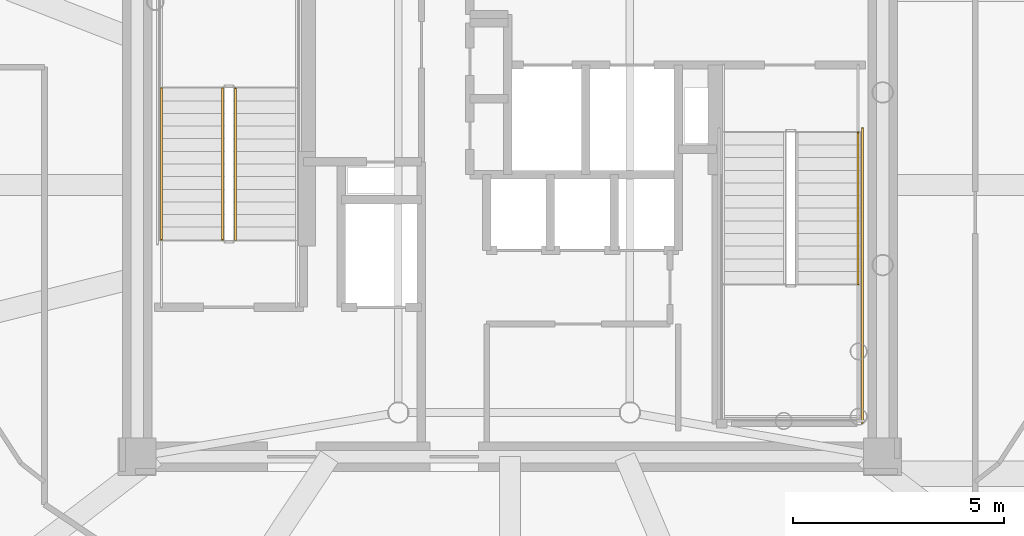
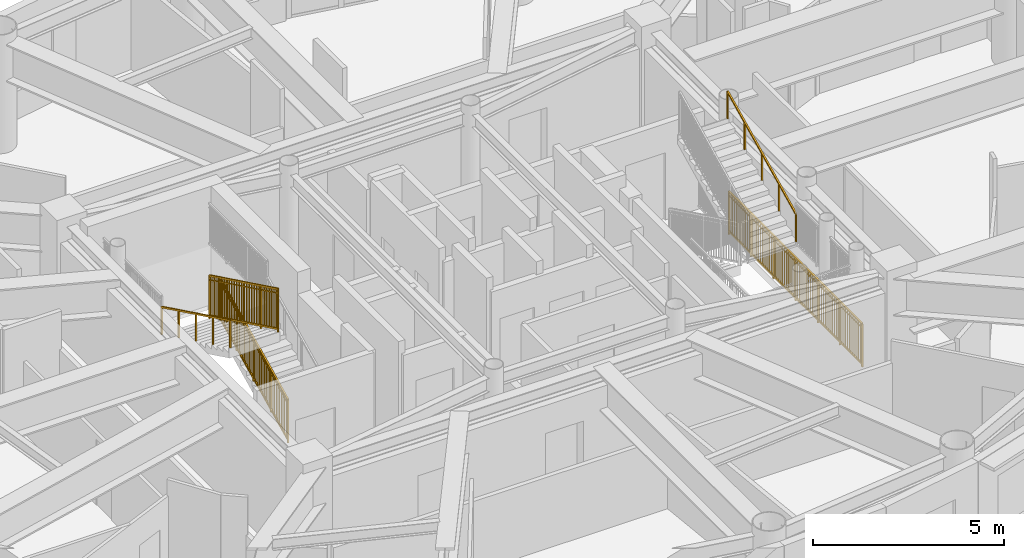
# One storey, part 14 of 16: 5 railings.
"""IFC4 building model written with IfcOpenShell, lengths in metres."""

from ifc_helpers import new_model, si_unit, direction, frame, origin, origin_2d, place, context, subcontext, project, spatial, rectangle, extrude, source, transform, mapped, material, type_object, element, save


model = new_model("IFC4")

# Units and contexts
model_context = context("Model", 3, precision=1e-05, world=origin(), true_north=direction((0.0, 1.0)))
body_context = subcontext(model_context, "Body", "Model", "MODEL_VIEW")
ifc_project = project(units=[si_unit("LENGTHUNIT", "METRE"), si_unit("AREAUNIT", "SQUARE_METRE"), si_unit("VOLUMEUNIT", "CUBIC_METRE"), si_unit("PLANEANGLEUNIT", "RADIAN"), si_unit("MASSUNIT", "GRAM", prefix="KILO")], contexts=[model_context])

# Site, building, storey
site_placement = place(None, origin())
site = spatial("IfcSite", under=ifc_project, at=site_placement, CompositionType="ELEMENT")
building_placement = place(site_placement, origin())
building = spatial("IfcBuilding", under=site, at=building_placement, Name="Linh Dai School and Residence Tower", CompositionType="ELEMENT")
storey_placement = place(building_placement, frame((0.0, 0.0, 343.0)))
storey = spatial("IfcBuildingStorey", under=building, at=storey_placement, Name="L85", CompositionType="ELEMENT", Elevation=343.0)

# Railings
ifc_material_1 = material(Name="Structural Steel S355JR", Category="steel")
railing_type_1 = type_object("IfcRailingType", Name="RL-ST-GUARD-1400", PredefinedType="GUARDRAIL", material=ifc_material_1)
shared_shape_1 = source(origin(), body_context, "Body", "SweptSolid", [
    extrude(rectangle(XDim=0.048095703125, YDim=0.048095703125, at=origin_2d()), frame((0.0, 0.0, 1.3759765625), z_axis=(0.0, 0.899012640991, 0.437922677352), x_axis=(-1.0, 0.0, 0.0)), (0.0, 0.0, 1.0), 4.00439453125),
    extrude(rectangle(XDim=0.048095703125, YDim=0.048095703125, at=origin_2d()), frame((0.0, 0.0, 0.10009765625), z_axis=(0.0, 0.899012640991, 0.437922677352), x_axis=(-1.0, 0.0, 0.0)), (0.0, 0.0, 1.0), 4.00439453125),
    extrude(rectangle(XDim=0.030029296875, YDim=0.030029296875, at=origin_2d()), frame((0.0, 0.0, 1.239990234375), z_axis=(0.0, 0.899012640991, 0.437922677352), x_axis=(-1.0, 0.0, 0.0)), (0.0, 0.0, 1.0), 4.00439453125),
    extrude(rectangle(XDim=0.02001953125, YDim=0.02001953125, at=origin_2d()), frame((0.0, 0.087890625, 0.142822265625)), (0.0, 0.0, 1.0), 1.251708984375),
    extrude(rectangle(XDim=0.02001953125, YDim=0.02001953125, at=origin_2d()), frame((0.0, 0.175537109375, 0.185546875)), (0.0, 0.0, 1.0), 1.251708984375),
    extrude(rectangle(XDim=0.02001953125, YDim=0.02001953125, at=origin_2d()), frame((0.0, 0.263427734375, 0.228515625)), (0.0, 0.0, 1.0), 1.251708984375),
    extrude(rectangle(XDim=0.02001953125, YDim=0.02001953125, at=origin_2d()), frame((0.0, 0.351318359375, 0.271240234375)), (0.0, 0.0, 1.0), 1.251708984375),
    extrude(rectangle(XDim=0.02001953125, YDim=0.02001953125, at=origin_2d()), frame((0.0, 0.43896484375, 0.31396484375)), (0.0, 0.0, 1.0), 1.251708984375),
    extrude(rectangle(XDim=0.02001953125, YDim=0.02001953125, at=origin_2d()), frame((0.0, 0.52685546875, 0.356689453125)), (0.0, 0.0, 1.0), 1.251708984375),
    extrude(rectangle(XDim=0.02001953125, YDim=0.02001953125, at=origin_2d()), frame((0.0, 0.61474609375, 0.3994140625)), (0.0, 0.0, 1.0), 1.251708984375),
    extrude(rectangle(XDim=0.02001953125, YDim=0.02001953125, at=origin_2d()), frame((0.0, 0.702392578125, 0.4423828125)), (0.0, 0.0, 1.0), 1.251708984375),
    extrude(rectangle(XDim=0.02001953125, YDim=0.02001953125, at=origin_2d()), frame((0.0, 0.790283203125, 0.485107421875)), (0.0, 0.0, 1.0), 1.251708984375),
    extrude(rectangle(XDim=0.02001953125, YDim=0.02001953125, at=origin_2d()), frame((0.0, 0.9658203125, 0.570556640625)), (0.0, 0.0, 1.0), 1.251708984375),
    extrude(rectangle(XDim=0.02001953125, YDim=0.02001953125, at=origin_2d()), frame((0.0, 1.0537109375, 0.61328125)), (0.0, 0.0, 1.0), 1.251708984375),
    extrude(rectangle(XDim=0.02001953125, YDim=0.02001953125, at=origin_2d()), frame((0.0, 1.1416015625, 0.65625)), (0.0, 0.0, 1.0), 1.251708984375),
    extrude(rectangle(XDim=0.02001953125, YDim=0.02001953125, at=origin_2d()), frame((0.0, 1.229248046875, 0.698974609375)), (0.0, 0.0, 1.0), 1.251708984375),
    extrude(rectangle(XDim=0.02001953125, YDim=0.02001953125, at=origin_2d()), frame((0.0, 1.317138671875, 0.74169921875)), (0.0, 0.0, 1.0), 1.251708984375),
    extrude(rectangle(XDim=0.02001953125, YDim=0.02001953125, at=origin_2d()), frame((0.0, 1.405029296875, 0.784423828125)), (0.0, 0.0, 1.0), 1.251708984375),
    extrude(rectangle(XDim=0.02001953125, YDim=0.02001953125, at=origin_2d()), frame((0.0, 1.49267578125, 0.8271484375)), (0.0, 0.0, 1.0), 1.251708984375),
    extrude(rectangle(XDim=0.02001953125, YDim=0.02001953125, at=origin_2d()), frame((0.0, 1.58056640625, 0.8701171875)), (0.0, 0.0, 1.0), 1.251708984375),
    extrude(rectangle(XDim=0.02001953125, YDim=0.02001953125, at=origin_2d()), frame((0.0, 1.66845703125, 0.912841796875)), (0.0, 0.0, 1.0), 1.251708984375),
    extrude(rectangle(XDim=0.02001953125, YDim=0.02001953125, at=origin_2d()), frame((0.0, 1.756103515625, 0.95556640625)), (0.0, 0.0, 1.0), 1.251708984375),
    extrude(rectangle(XDim=0.02001953125, YDim=0.02001953125, at=origin_2d()), frame((0.0, 1.843994140625, 0.998291015625)), (0.0, 0.0, 1.0), 1.251708984375),
    extrude(rectangle(XDim=0.02001953125, YDim=0.02001953125, at=origin_2d()), frame((0.0, 1.931640625, 1.041015625)), (0.0, 0.0, 1.0), 1.251708984375),
    extrude(rectangle(XDim=0.02001953125, YDim=0.02001953125, at=origin_2d()), frame((0.0, 2.01953125, 1.083740234375)), (0.0, 0.0, 1.0), 1.251708984375),
    extrude(rectangle(XDim=0.02001953125, YDim=0.02001953125, at=origin_2d()), frame((0.0, 2.107421875, 1.126708984375)), (0.0, 0.0, 1.0), 1.251708984375),
    extrude(rectangle(XDim=0.02001953125, YDim=0.02001953125, at=origin_2d()), frame((0.0, 2.195068359375, 1.16943359375)), (0.0, 0.0, 1.0), 1.251708984375),
    extrude(rectangle(XDim=0.02001953125, YDim=0.02001953125, at=origin_2d()), frame((0.0, 2.282958984375, 1.212158203125)), (0.0, 0.0, 1.0), 1.251708984375),
    extrude(rectangle(XDim=0.02001953125, YDim=0.02001953125, at=origin_2d()), frame((0.0, 2.370849609375, 1.2548828125)), (0.0, 0.0, 1.0), 1.251708984375),
    extrude(rectangle(XDim=0.02001953125, YDim=0.02001953125, at=origin_2d()), frame((0.0, 2.45849609375, 1.297607421875)), (0.0, 0.0, 1.0), 1.251708984375),
    extrude(rectangle(XDim=0.02001953125, YDim=0.02001953125, at=origin_2d()), frame((0.0, 2.54638671875, 1.340576171875)), (0.0, 0.0, 1.0), 1.251708984375),
    extrude(rectangle(XDim=0.02001953125, YDim=0.02001953125, at=origin_2d()), frame((0.0, 2.63427734375, 1.38330078125)), (0.0, 0.0, 1.0), 1.251708984375),
    extrude(rectangle(XDim=0.02001953125, YDim=0.02001953125, at=origin_2d()), frame((0.0, 2.809814453125, 1.46875)), (0.0, 0.0, 1.0), 1.251708984375),
    extrude(rectangle(XDim=0.02001953125, YDim=0.02001953125, at=origin_2d()), frame((0.0, 2.897705078125, 1.511474609375)), (0.0, 0.0, 1.0), 1.251708984375),
    extrude(rectangle(XDim=0.02001953125, YDim=0.02001953125, at=origin_2d()), frame((0.0, 2.9853515625, 1.554443359375)), (0.0, 0.0, 1.0), 1.251708984375),
    extrude(rectangle(XDim=0.02001953125, YDim=0.02001953125, at=origin_2d()), frame((0.0, 3.0732421875, 1.59716796875)), (0.0, 0.0, 1.0), 1.251708984375),
    extrude(rectangle(XDim=0.02001953125, YDim=0.02001953125, at=origin_2d()), frame((0.0, 3.1611328125, 1.639892578125)), (0.0, 0.0, 1.0), 1.251708984375),
    extrude(rectangle(XDim=0.02001953125, YDim=0.02001953125, at=origin_2d()), frame((0.0, 3.248779296875, 1.6826171875)), (0.0, 0.0, 1.0), 1.251708984375),
    extrude(rectangle(XDim=0.02001953125, YDim=0.02001953125, at=origin_2d()), frame((0.0, 3.336669921875, 1.725341796875)), (0.0, 0.0, 1.0), 1.251708984375),
    extrude(rectangle(XDim=0.02001953125, YDim=0.02001953125, at=origin_2d()), frame((0.0, 3.424560546875, 1.768310546875)), (0.0, 0.0, 1.0), 1.251708984375),
    extrude(rectangle(XDim=0.02001953125, YDim=0.02001953125, at=origin_2d()), frame((0.0, 3.51220703125, 1.81103515625)), (0.0, 0.0, 1.0), 1.251708984375),
    extrude(rectangle(XDim=0.0419921875, YDim=0.0419921875, at=origin_2d()), origin(), (0.0, 0.0, 1.0), 1.3759765625),
    extrude(rectangle(XDim=0.0419921875, YDim=0.0419921875, at=origin_2d()), frame((0.0, 0.89990234375, 0.4384765625)), (0.0, 0.0, 1.0), 1.3759765625),
    extrude(rectangle(XDim=0.0419921875, YDim=0.0419921875, at=origin_2d()), frame((0.0, 1.800048828125, 0.876953125)), (0.0, 0.0, 1.0), 1.3759765625),
    extrude(rectangle(XDim=0.0419921875, YDim=0.0419921875, at=origin_2d()), frame((0.0, 2.7001953125, 1.315185546875)), (0.0, 0.0, 1.0), 1.3759765625),
    extrude(rectangle(XDim=0.0419921875, YDim=0.0419921875, at=origin_2d()), frame((0.0, 3.60009765625, 1.753662109375)), (0.0, 0.0, 1.0), 1.3759765625),
])
railing_1_placement = place(storey_placement, frame((29.47998046875, 25.699951171875, 0.146240234375)))
element("IfcRailing", 1, at=railing_1_placement, inside=storey, type_object=railing_type_1, Name="L85 ST1 stair guard 1", PredefinedType="GUARDRAIL", context=body_context, shape_type="MappedRepresentation", body=[
    mapped(shared_shape_1, transform((0.0, 0.0, 0.0), x_axis=(1.0, 0.0, 0.0), y_axis=(0.0, 1.0, 0.0), z_axis=(0.0, 0.0, 1.0), scale=1.0)),
])
shared_shape_2 = source(origin(), body_context, "Body", "SweptSolid", [
    extrude(rectangle(XDim=0.048095703125, YDim=0.048095703125, at=origin_2d()), frame((0.0, 0.0, 1.3759765625), z_axis=(0.0, -0.898988637874, 0.437971949985), x_axis=(1.0, 0.0, 0.0)), (0.0, 0.0, 1.0), 4.004638671875),
    extrude(rectangle(XDim=0.048095703125, YDim=0.048095703125, at=origin_2d()), frame((0.0, 0.0, 0.10009765625), z_axis=(0.0, -0.898988637874, 0.437971949985), x_axis=(1.0, 0.0, 0.0)), (0.0, 0.0, 1.0), 4.004638671875),
    extrude(rectangle(XDim=0.030029296875, YDim=0.030029296875, at=origin_2d()), frame((0.0, 0.0, 1.239990234375), z_axis=(0.0, -0.898988637874, 0.437971949985), x_axis=(1.0, 0.0, 0.0)), (0.0, 0.0, 1.0), 4.004638671875),
    extrude(rectangle(XDim=0.02001953125, YDim=0.02001953125, at=origin_2d()), frame((0.0, -0.087890625, 0.142822265625)), (0.0, 0.0, 1.0), 1.251708984375),
    extrude(rectangle(XDim=0.02001953125, YDim=0.02001953125, at=origin_2d()), frame((0.0, -0.175537109375, 0.185546875)), (0.0, 0.0, 1.0), 1.251708984375),
    extrude(rectangle(XDim=0.02001953125, YDim=0.02001953125, at=origin_2d()), frame((0.0, -0.263427734375, 0.228515625)), (0.0, 0.0, 1.0), 1.251708984375),
    extrude(rectangle(XDim=0.02001953125, YDim=0.02001953125, at=origin_2d()), frame((0.0, -0.351318359375, 0.271240234375)), (0.0, 0.0, 1.0), 1.251708984375),
    extrude(rectangle(XDim=0.02001953125, YDim=0.02001953125, at=origin_2d()), frame((0.0, -0.43896484375, 0.31396484375)), (0.0, 0.0, 1.0), 1.251708984375),
    extrude(rectangle(XDim=0.02001953125, YDim=0.02001953125, at=origin_2d()), frame((0.0, -0.52685546875, 0.356689453125)), (0.0, 0.0, 1.0), 1.251708984375),
    extrude(rectangle(XDim=0.02001953125, YDim=0.02001953125, at=origin_2d()), frame((0.0, -0.61474609375, 0.399658203125)), (0.0, 0.0, 1.0), 1.251708984375),
    extrude(rectangle(XDim=0.02001953125, YDim=0.02001953125, at=origin_2d()), frame((0.0, -0.702392578125, 0.4423828125)), (0.0, 0.0, 1.0), 1.251708984375),
    extrude(rectangle(XDim=0.02001953125, YDim=0.02001953125, at=origin_2d()), frame((0.0, -0.790283203125, 0.485107421875)), (0.0, 0.0, 1.0), 1.251708984375),
    extrude(rectangle(XDim=0.02001953125, YDim=0.02001953125, at=origin_2d()), frame((0.0, -0.9658203125, 0.570556640625)), (0.0, 0.0, 1.0), 1.251708984375),
    extrude(rectangle(XDim=0.02001953125, YDim=0.02001953125, at=origin_2d()), frame((0.0, -1.0537109375, 0.613525390625)), (0.0, 0.0, 1.0), 1.251708984375),
    extrude(rectangle(XDim=0.02001953125, YDim=0.02001953125, at=origin_2d()), frame((0.0, -1.1416015625, 0.65625)), (0.0, 0.0, 1.0), 1.251708984375),
    extrude(rectangle(XDim=0.02001953125, YDim=0.02001953125, at=origin_2d()), frame((0.0, -1.229248046875, 0.698974609375)), (0.0, 0.0, 1.0), 1.251708984375),
    extrude(rectangle(XDim=0.02001953125, YDim=0.02001953125, at=origin_2d()), frame((0.0, -1.317138671875, 0.74169921875)), (0.0, 0.0, 1.0), 1.251708984375),
    extrude(rectangle(XDim=0.02001953125, YDim=0.02001953125, at=origin_2d()), frame((0.0, -1.405029296875, 0.78466796875)), (0.0, 0.0, 1.0), 1.251708984375),
    extrude(rectangle(XDim=0.02001953125, YDim=0.02001953125, at=origin_2d()), frame((0.0, -1.49267578125, 0.827392578125)), (0.0, 0.0, 1.0), 1.251708984375),
    extrude(rectangle(XDim=0.02001953125, YDim=0.02001953125, at=origin_2d()), frame((0.0, -1.58056640625, 0.8701171875)), (0.0, 0.0, 1.0), 1.251708984375),
    extrude(rectangle(XDim=0.02001953125, YDim=0.02001953125, at=origin_2d()), frame((0.0, -1.66845703125, 0.912841796875)), (0.0, 0.0, 1.0), 1.251708984375),
    extrude(rectangle(XDim=0.02001953125, YDim=0.02001953125, at=origin_2d()), frame((0.0, -1.756103515625, 0.95556640625)), (0.0, 0.0, 1.0), 1.251708984375),
    extrude(rectangle(XDim=0.02001953125, YDim=0.02001953125, at=origin_2d()), frame((0.0, -1.843994140625, 0.99853515625)), (0.0, 0.0, 1.0), 1.251708984375),
    extrude(rectangle(XDim=0.02001953125, YDim=0.02001953125, at=origin_2d()), frame((0.0, -1.931640625, 1.041259765625)), (0.0, 0.0, 1.0), 1.251708984375),
    extrude(rectangle(XDim=0.02001953125, YDim=0.02001953125, at=origin_2d()), frame((0.0, -2.01953125, 1.083984375)), (0.0, 0.0, 1.0), 1.251708984375),
    extrude(rectangle(XDim=0.02001953125, YDim=0.02001953125, at=origin_2d()), frame((0.0, -2.107421875, 1.126708984375)), (0.0, 0.0, 1.0), 1.251708984375),
    extrude(rectangle(XDim=0.02001953125, YDim=0.02001953125, at=origin_2d()), frame((0.0, -2.195068359375, 1.16943359375)), (0.0, 0.0, 1.0), 1.251708984375),
    extrude(rectangle(XDim=0.02001953125, YDim=0.02001953125, at=origin_2d()), frame((0.0, -2.282958984375, 1.21240234375)), (0.0, 0.0, 1.0), 1.251708984375),
    extrude(rectangle(XDim=0.02001953125, YDim=0.02001953125, at=origin_2d()), frame((0.0, -2.370849609375, 1.255126953125)), (0.0, 0.0, 1.0), 1.251708984375),
    extrude(rectangle(XDim=0.02001953125, YDim=0.02001953125, at=origin_2d()), frame((0.0, -2.45849609375, 1.2978515625)), (0.0, 0.0, 1.0), 1.251708984375),
    extrude(rectangle(XDim=0.02001953125, YDim=0.02001953125, at=origin_2d()), frame((0.0, -2.54638671875, 1.340576171875)), (0.0, 0.0, 1.0), 1.251708984375),
    extrude(rectangle(XDim=0.02001953125, YDim=0.02001953125, at=origin_2d()), frame((0.0, -2.63427734375, 1.383544921875)), (0.0, 0.0, 1.0), 1.251708984375),
    extrude(rectangle(XDim=0.02001953125, YDim=0.02001953125, at=origin_2d()), frame((0.0, -2.809814453125, 1.468994140625)), (0.0, 0.0, 1.0), 1.251708984375),
    extrude(rectangle(XDim=0.02001953125, YDim=0.02001953125, at=origin_2d()), frame((0.0, -2.897705078125, 1.51171875)), (0.0, 0.0, 1.0), 1.251708984375),
    extrude(rectangle(XDim=0.02001953125, YDim=0.02001953125, at=origin_2d()), frame((0.0, -2.9853515625, 1.554443359375)), (0.0, 0.0, 1.0), 1.251708984375),
    extrude(rectangle(XDim=0.02001953125, YDim=0.02001953125, at=origin_2d()), frame((0.0, -3.0732421875, 1.597412109375)), (0.0, 0.0, 1.0), 1.251708984375),
    extrude(rectangle(XDim=0.02001953125, YDim=0.02001953125, at=origin_2d()), frame((0.0, -3.1611328125, 1.64013671875)), (0.0, 0.0, 1.0), 1.251708984375),
    extrude(rectangle(XDim=0.02001953125, YDim=0.02001953125, at=origin_2d()), frame((0.0, -3.248779296875, 1.682861328125)), (0.0, 0.0, 1.0), 1.251708984375),
    extrude(rectangle(XDim=0.02001953125, YDim=0.02001953125, at=origin_2d()), frame((0.0, -3.336669921875, 1.7255859375)), (0.0, 0.0, 1.0), 1.251708984375),
    extrude(rectangle(XDim=0.02001953125, YDim=0.02001953125, at=origin_2d()), frame((0.0, -3.424560546875, 1.7685546875)), (0.0, 0.0, 1.0), 1.251708984375),
    extrude(rectangle(XDim=0.02001953125, YDim=0.02001953125, at=origin_2d()), frame((0.0, -3.51220703125, 1.811279296875)), (0.0, 0.0, 1.0), 1.251708984375),
    extrude(rectangle(XDim=0.0419921875, YDim=0.0419921875, at=origin_2d()), origin(), (0.0, 0.0, 1.0), 1.3759765625),
    extrude(rectangle(XDim=0.0419921875, YDim=0.0419921875, at=origin_2d()), frame((0.0, -0.89990234375, 0.4384765625)), (0.0, 0.0, 1.0), 1.3759765625),
    extrude(rectangle(XDim=0.0419921875, YDim=0.0419921875, at=origin_2d()), frame((0.0, -1.800048828125, 0.876953125)), (0.0, 0.0, 1.0), 1.3759765625),
    extrude(rectangle(XDim=0.0419921875, YDim=0.0419921875, at=origin_2d()), frame((0.0, -2.7001953125, 1.3154296875)), (0.0, 0.0, 1.0), 1.3759765625),
    extrude(rectangle(XDim=0.0419921875, YDim=0.0419921875, at=origin_2d()), frame((0.0, -3.60009765625, 1.75390625)), (0.0, 0.0, 1.0), 1.3759765625),
])
railing_2_placement = place(storey_placement, frame((29.179931640625, 29.300048828125, 2.046142578125)))
element("IfcRailing", 2, at=railing_2_placement, inside=storey, type_object=railing_type_1, Name="L85 ST1 stair guard 6", PredefinedType="GUARDRAIL", context=body_context, shape_type="MappedRepresentation", body=[
    mapped(shared_shape_2, transform((0.0, 0.0, 0.0), x_axis=(1.0, 0.0, 0.0), y_axis=(0.0, 1.0, 0.0), z_axis=(0.0, 0.0, 1.0), scale=1.0)),
])
ifc_material_2 = material(Name="Brushed Stainless Steel Handrail", Category="steel")
railing_type_2 = type_object("IfcRailingType", Name="RL-ST-HANDRAIL-900", PredefinedType="HANDRAIL", material=ifc_material_2)
shared_shape_3 = source(origin(), body_context, "Body", "SweptSolid", [
    extrude(rectangle(XDim=0.048095703125, YDim=0.048095703125, at=origin_2d()), frame((0.0, 0.0, 0.8759765625), z_axis=(0.0, -0.898988637874, 0.437971949985), x_axis=(1.0, 0.0, 0.0)), (0.0, 0.0, 1.0), 4.004638671875),
    extrude(rectangle(XDim=0.0419921875, YDim=0.0419921875, at=origin_2d()), origin(), (0.0, 0.0, 1.0), 0.8759765625),
    extrude(rectangle(XDim=0.0419921875, YDim=0.0419921875, at=origin_2d()), frame((0.0, -0.89990234375, 0.4384765625)), (0.0, 0.0, 1.0), 0.8759765625),
    extrude(rectangle(XDim=0.0419921875, YDim=0.0419921875, at=origin_2d()), frame((0.0, -1.800048828125, 0.876953125)), (0.0, 0.0, 1.0), 0.8759765625),
    extrude(rectangle(XDim=0.0419921875, YDim=0.0419921875, at=origin_2d()), frame((0.0, -2.7001953125, 1.3154296875)), (0.0, 0.0, 1.0), 0.8759765625),
    extrude(rectangle(XDim=0.0419921875, YDim=0.0419921875, at=origin_2d()), frame((0.0, -3.60009765625, 1.75390625)), (0.0, 0.0, 1.0), 0.8759765625),
])
railing_3_placement = place(storey_placement, frame((27.72998046875, 29.300048828125, 2.046142578125)))
element("IfcRailing", 3, at=railing_3_placement, inside=storey, type_object=railing_type_2, Name="L85 ST1 stair handrail 2", PredefinedType="HANDRAIL", context=body_context, shape_type="MappedRepresentation", body=[
    mapped(shared_shape_3, transform((0.0, 0.0, 0.0), x_axis=(1.0, 0.0, 0.0), y_axis=(0.0, 1.0, 0.0), z_axis=(0.0, 0.0, 1.0), scale=1.0)),
])
shared_shape_4 = source(origin(), body_context, "Body", "SweptSolid", [
    extrude(rectangle(XDim=0.048095703125, YDim=0.048095703125, at=origin_2d()), frame((0.0, 0.0, 0.8759765625), z_axis=(0.0, 0.898988637874, 0.437971949985), x_axis=(-1.0, 0.0, 0.0)), (0.0, 0.0, 1.0), 4.004638671875),
    extrude(rectangle(XDim=0.0419921875, YDim=0.0419921875, at=origin_2d()), origin(), (0.0, 0.0, 1.0), 0.8759765625),
    extrude(rectangle(XDim=0.0419921875, YDim=0.0419921875, at=origin_2d()), frame((0.0, 0.89990234375, 0.4384765625)), (0.0, 0.0, 1.0), 0.8759765625),
    extrude(rectangle(XDim=0.0419921875, YDim=0.0419921875, at=origin_2d()), frame((0.0, 1.800048828125, 0.876953125)), (0.0, 0.0, 1.0), 0.8759765625),
    extrude(rectangle(XDim=0.0419921875, YDim=0.0419921875, at=origin_2d()), frame((0.0, 2.7001953125, 1.3154296875)), (0.0, 0.0, 1.0), 0.8759765625),
    extrude(rectangle(XDim=0.0419921875, YDim=0.0419921875, at=origin_2d()), frame((0.0, 3.60009765625, 1.75390625)), (0.0, 0.0, 1.0), 0.8759765625),
])
railing_4_placement = place(storey_placement, frame((44.27001953125, 24.64990234375, 2.046142578125)))
element("IfcRailing", 4, at=railing_4_placement, inside=storey, type_object=railing_type_2, Name="L85 ST2 stair handrail 2", PredefinedType="HANDRAIL", context=body_context, shape_type="MappedRepresentation", body=[
    mapped(shared_shape_4, transform((0.0, 0.0, 0.0), x_axis=(1.0, 0.0, 0.0), y_axis=(0.0, 1.0, 0.0), z_axis=(0.0, 0.0, 1.0), scale=1.0)),
])
shared_shape_5 = source(origin(), body_context, "Body", "SweptSolid", [
    extrude(rectangle(XDim=0.048095703125, YDim=0.048095703125, at=origin_2d()), frame((0.0, 0.0, 1.3759765625), z_axis=(0.0, -1.0, 0.0), x_axis=(1.0, 0.0, 0.0)), (0.0, 0.0, 1.0), 7.0),
    extrude(rectangle(XDim=0.048095703125, YDim=0.048095703125, at=origin_2d()), frame((0.0, 0.0, 0.10009765625), z_axis=(0.0, -1.0, 0.0), x_axis=(1.0, 0.0, 0.0)), (0.0, 0.0, 1.0), 7.0),
    extrude(rectangle(XDim=0.030029296875, YDim=0.030029296875, at=origin_2d()), frame((0.0, 0.0, 1.239990234375), z_axis=(0.0, -1.0, 0.0), x_axis=(1.0, 0.0, 0.0)), (0.0, 0.0, 1.0), 7.0),
    extrude(rectangle(XDim=0.02001953125, YDim=0.02001953125, at=origin_2d()), frame((0.0, -0.09716796875, 0.10009765625)), (0.0, 0.0, 1.0), 1.251708984375),
    extrude(rectangle(XDim=0.02001953125, YDim=0.02001953125, at=origin_2d()), frame((0.0, -0.1943359375, 0.10009765625)), (0.0, 0.0, 1.0), 1.251708984375),
    extrude(rectangle(XDim=0.02001953125, YDim=0.02001953125, at=origin_2d()), frame((0.0, -0.291748046875, 0.10009765625)), (0.0, 0.0, 1.0), 1.251708984375),
    extrude(rectangle(XDim=0.02001953125, YDim=0.02001953125, at=origin_2d()), frame((0.0, -0.388916015625, 0.10009765625)), (0.0, 0.0, 1.0), 1.251708984375),
    extrude(rectangle(XDim=0.02001953125, YDim=0.02001953125, at=origin_2d()), frame((0.0, -0.486083984375, 0.10009765625)), (0.0, 0.0, 1.0), 1.251708984375),
    extrude(rectangle(XDim=0.02001953125, YDim=0.02001953125, at=origin_2d()), frame((0.0, -0.583251953125, 0.10009765625)), (0.0, 0.0, 1.0), 1.251708984375),
    extrude(rectangle(XDim=0.02001953125, YDim=0.02001953125, at=origin_2d()), frame((0.0, -0.6806640625, 0.10009765625)), (0.0, 0.0, 1.0), 1.251708984375),
    extrude(rectangle(XDim=0.02001953125, YDim=0.02001953125, at=origin_2d()), frame((0.0, -0.77783203125, 0.10009765625)), (0.0, 0.0, 1.0), 1.251708984375),
    extrude(rectangle(XDim=0.02001953125, YDim=0.02001953125, at=origin_2d()), frame((0.0, -0.875, 0.10009765625)), (0.0, 0.0, 1.0), 1.251708984375),
    extrude(rectangle(XDim=0.02001953125, YDim=0.02001953125, at=origin_2d()), frame((0.0, -0.97216796875, 0.10009765625)), (0.0, 0.0, 1.0), 1.251708984375),
    extrude(rectangle(XDim=0.02001953125, YDim=0.02001953125, at=origin_2d()), frame((0.0, -1.0693359375, 0.10009765625)), (0.0, 0.0, 1.0), 1.251708984375),
    extrude(rectangle(XDim=0.02001953125, YDim=0.02001953125, at=origin_2d()), frame((0.0, -1.263916015625, 0.10009765625)), (0.0, 0.0, 1.0), 1.251708984375),
    extrude(rectangle(XDim=0.02001953125, YDim=0.02001953125, at=origin_2d()), frame((0.0, -1.361083984375, 0.10009765625)), (0.0, 0.0, 1.0), 1.251708984375),
    extrude(rectangle(XDim=0.02001953125, YDim=0.02001953125, at=origin_2d()), frame((0.0, -1.458251953125, 0.10009765625)), (0.0, 0.0, 1.0), 1.251708984375),
    extrude(rectangle(XDim=0.02001953125, YDim=0.02001953125, at=origin_2d()), frame((0.0, -1.5556640625, 0.10009765625)), (0.0, 0.0, 1.0), 1.251708984375),
    extrude(rectangle(XDim=0.02001953125, YDim=0.02001953125, at=origin_2d()), frame((0.0, -1.65283203125, 0.10009765625)), (0.0, 0.0, 1.0), 1.251708984375),
    extrude(rectangle(XDim=0.02001953125, YDim=0.02001953125, at=origin_2d()), frame((0.0, -1.75, 0.10009765625)), (0.0, 0.0, 1.0), 1.251708984375),
    extrude(rectangle(XDim=0.02001953125, YDim=0.02001953125, at=origin_2d()), frame((0.0, -1.84716796875, 0.10009765625)), (0.0, 0.0, 1.0), 1.251708984375),
    extrude(rectangle(XDim=0.02001953125, YDim=0.02001953125, at=origin_2d()), frame((0.0, -1.9443359375, 0.10009765625)), (0.0, 0.0, 1.0), 1.251708984375),
    extrude(rectangle(XDim=0.02001953125, YDim=0.02001953125, at=origin_2d()), frame((0.0, -2.041748046875, 0.10009765625)), (0.0, 0.0, 1.0), 1.251708984375),
    extrude(rectangle(XDim=0.02001953125, YDim=0.02001953125, at=origin_2d()), frame((0.0, -2.138916015625, 0.10009765625)), (0.0, 0.0, 1.0), 1.251708984375),
    extrude(rectangle(XDim=0.02001953125, YDim=0.02001953125, at=origin_2d()), frame((0.0, -2.236083984375, 0.10009765625)), (0.0, 0.0, 1.0), 1.251708984375),
    extrude(rectangle(XDim=0.02001953125, YDim=0.02001953125, at=origin_2d()), frame((0.0, -2.4306640625, 0.10009765625)), (0.0, 0.0, 1.0), 1.251708984375),
    extrude(rectangle(XDim=0.02001953125, YDim=0.02001953125, at=origin_2d()), frame((0.0, -2.52783203125, 0.10009765625)), (0.0, 0.0, 1.0), 1.251708984375),
    extrude(rectangle(XDim=0.02001953125, YDim=0.02001953125, at=origin_2d()), frame((0.0, -2.625, 0.10009765625)), (0.0, 0.0, 1.0), 1.251708984375),
    extrude(rectangle(XDim=0.02001953125, YDim=0.02001953125, at=origin_2d()), frame((0.0, -2.72216796875, 0.10009765625)), (0.0, 0.0, 1.0), 1.251708984375),
    extrude(rectangle(XDim=0.02001953125, YDim=0.02001953125, at=origin_2d()), frame((0.0, -2.8193359375, 0.10009765625)), (0.0, 0.0, 1.0), 1.251708984375),
    extrude(rectangle(XDim=0.02001953125, YDim=0.02001953125, at=origin_2d()), frame((0.0, -2.916748046875, 0.10009765625)), (0.0, 0.0, 1.0), 1.251708984375),
    extrude(rectangle(XDim=0.02001953125, YDim=0.02001953125, at=origin_2d()), frame((0.0, -3.013916015625, 0.10009765625)), (0.0, 0.0, 1.0), 1.251708984375),
    extrude(rectangle(XDim=0.02001953125, YDim=0.02001953125, at=origin_2d()), frame((0.0, -3.111083984375, 0.10009765625)), (0.0, 0.0, 1.0), 1.251708984375),
    extrude(rectangle(XDim=0.02001953125, YDim=0.02001953125, at=origin_2d()), frame((0.0, -3.208251953125, 0.10009765625)), (0.0, 0.0, 1.0), 1.251708984375),
    extrude(rectangle(XDim=0.02001953125, YDim=0.02001953125, at=origin_2d()), frame((0.0, -3.3056640625, 0.10009765625)), (0.0, 0.0, 1.0), 1.251708984375),
    extrude(rectangle(XDim=0.02001953125, YDim=0.02001953125, at=origin_2d()), frame((0.0, -3.40283203125, 0.10009765625)), (0.0, 0.0, 1.0), 1.251708984375),
    extrude(rectangle(XDim=0.02001953125, YDim=0.02001953125, at=origin_2d()), frame((0.0, -3.59716796875, 0.10009765625)), (0.0, 0.0, 1.0), 1.251708984375),
    extrude(rectangle(XDim=0.02001953125, YDim=0.02001953125, at=origin_2d()), frame((0.0, -3.6943359375, 0.10009765625)), (0.0, 0.0, 1.0), 1.251708984375),
    extrude(rectangle(XDim=0.02001953125, YDim=0.02001953125, at=origin_2d()), frame((0.0, -3.791748046875, 0.10009765625)), (0.0, 0.0, 1.0), 1.251708984375),
    extrude(rectangle(XDim=0.02001953125, YDim=0.02001953125, at=origin_2d()), frame((0.0, -3.888916015625, 0.10009765625)), (0.0, 0.0, 1.0), 1.251708984375),
    extrude(rectangle(XDim=0.02001953125, YDim=0.02001953125, at=origin_2d()), frame((0.0, -3.986083984375, 0.10009765625)), (0.0, 0.0, 1.0), 1.251708984375),
    extrude(rectangle(XDim=0.02001953125, YDim=0.02001953125, at=origin_2d()), frame((0.0, -4.083251953125, 0.10009765625)), (0.0, 0.0, 1.0), 1.251708984375),
    extrude(rectangle(XDim=0.02001953125, YDim=0.02001953125, at=origin_2d()), frame((0.0, -4.1806640625, 0.10009765625)), (0.0, 0.0, 1.0), 1.251708984375),
    extrude(rectangle(XDim=0.02001953125, YDim=0.02001953125, at=origin_2d()), frame((0.0, -4.27783203125, 0.10009765625)), (0.0, 0.0, 1.0), 1.251708984375),
    extrude(rectangle(XDim=0.02001953125, YDim=0.02001953125, at=origin_2d()), frame((0.0, -4.375, 0.10009765625)), (0.0, 0.0, 1.0), 1.251708984375),
    extrude(rectangle(XDim=0.02001953125, YDim=0.02001953125, at=origin_2d()), frame((0.0, -4.47216796875, 0.10009765625)), (0.0, 0.0, 1.0), 1.251708984375),
    extrude(rectangle(XDim=0.02001953125, YDim=0.02001953125, at=origin_2d()), frame((0.0, -4.5693359375, 0.10009765625)), (0.0, 0.0, 1.0), 1.251708984375),
    extrude(rectangle(XDim=0.02001953125, YDim=0.02001953125, at=origin_2d()), frame((0.0, -4.763916015625, 0.10009765625)), (0.0, 0.0, 1.0), 1.251708984375),
    extrude(rectangle(XDim=0.02001953125, YDim=0.02001953125, at=origin_2d()), frame((0.0, -4.861083984375, 0.10009765625)), (0.0, 0.0, 1.0), 1.251708984375),
    extrude(rectangle(XDim=0.02001953125, YDim=0.02001953125, at=origin_2d()), frame((0.0, -4.958251953125, 0.10009765625)), (0.0, 0.0, 1.0), 1.251708984375),
    extrude(rectangle(XDim=0.02001953125, YDim=0.02001953125, at=origin_2d()), frame((0.0, -5.0556640625, 0.10009765625)), (0.0, 0.0, 1.0), 1.251708984375),
    extrude(rectangle(XDim=0.02001953125, YDim=0.02001953125, at=origin_2d()), frame((0.0, -5.15283203125, 0.10009765625)), (0.0, 0.0, 1.0), 1.251708984375),
    extrude(rectangle(XDim=0.02001953125, YDim=0.02001953125, at=origin_2d()), frame((0.0, -5.25, 0.10009765625)), (0.0, 0.0, 1.0), 1.251708984375),
    extrude(rectangle(XDim=0.02001953125, YDim=0.02001953125, at=origin_2d()), frame((0.0, -5.34716796875, 0.10009765625)), (0.0, 0.0, 1.0), 1.251708984375),
    extrude(rectangle(XDim=0.02001953125, YDim=0.02001953125, at=origin_2d()), frame((0.0, -5.4443359375, 0.10009765625)), (0.0, 0.0, 1.0), 1.251708984375),
    extrude(rectangle(XDim=0.02001953125, YDim=0.02001953125, at=origin_2d()), frame((0.0, -5.541748046875, 0.10009765625)), (0.0, 0.0, 1.0), 1.251708984375),
    extrude(rectangle(XDim=0.02001953125, YDim=0.02001953125, at=origin_2d()), frame((0.0, -5.638916015625, 0.10009765625)), (0.0, 0.0, 1.0), 1.251708984375),
    extrude(rectangle(XDim=0.02001953125, YDim=0.02001953125, at=origin_2d()), frame((0.0, -5.736083984375, 0.10009765625)), (0.0, 0.0, 1.0), 1.251708984375),
    extrude(rectangle(XDim=0.02001953125, YDim=0.02001953125, at=origin_2d()), frame((0.0, -5.9306640625, 0.10009765625)), (0.0, 0.0, 1.0), 1.251708984375),
    extrude(rectangle(XDim=0.02001953125, YDim=0.02001953125, at=origin_2d()), frame((0.0, -6.02783203125, 0.10009765625)), (0.0, 0.0, 1.0), 1.251708984375),
    extrude(rectangle(XDim=0.02001953125, YDim=0.02001953125, at=origin_2d()), frame((0.0, -6.125, 0.10009765625)), (0.0, 0.0, 1.0), 1.251708984375),
    extrude(rectangle(XDim=0.02001953125, YDim=0.02001953125, at=origin_2d()), frame((0.0, -6.22216796875, 0.10009765625)), (0.0, 0.0, 1.0), 1.251708984375),
    extrude(rectangle(XDim=0.02001953125, YDim=0.02001953125, at=origin_2d()), frame((0.0, -6.3193359375, 0.10009765625)), (0.0, 0.0, 1.0), 1.251708984375),
    extrude(rectangle(XDim=0.02001953125, YDim=0.02001953125, at=origin_2d()), frame((0.0, -6.416748046875, 0.10009765625)), (0.0, 0.0, 1.0), 1.251708984375),
    extrude(rectangle(XDim=0.02001953125, YDim=0.02001953125, at=origin_2d()), frame((0.0, -6.513916015625, 0.10009765625)), (0.0, 0.0, 1.0), 1.251708984375),
    extrude(rectangle(XDim=0.02001953125, YDim=0.02001953125, at=origin_2d()), frame((0.0, -6.611083984375, 0.10009765625)), (0.0, 0.0, 1.0), 1.251708984375),
    extrude(rectangle(XDim=0.02001953125, YDim=0.02001953125, at=origin_2d()), frame((0.0, -6.708251953125, 0.10009765625)), (0.0, 0.0, 1.0), 1.251708984375),
    extrude(rectangle(XDim=0.02001953125, YDim=0.02001953125, at=origin_2d()), frame((0.0, -6.8056640625, 0.10009765625)), (0.0, 0.0, 1.0), 1.251708984375),
    extrude(rectangle(XDim=0.02001953125, YDim=0.02001953125, at=origin_2d()), frame((0.0, -6.90283203125, 0.10009765625)), (0.0, 0.0, 1.0), 1.251708984375),
    extrude(rectangle(XDim=0.0419921875, YDim=0.0419921875, at=origin_2d()), origin(), (0.0, 0.0, 1.0), 1.3759765625),
    extrude(rectangle(XDim=0.0419921875, YDim=0.0419921875, at=origin_2d()), frame((0.0, -1.166748046875, 0.0)), (0.0, 0.0, 1.0), 1.3759765625),
    extrude(rectangle(XDim=0.0419921875, YDim=0.0419921875, at=origin_2d()), frame((0.0, -2.333251953125, 0.0)), (0.0, 0.0, 1.0), 1.3759765625),
    extrude(rectangle(XDim=0.0419921875, YDim=0.0419921875, at=origin_2d()), frame((0.0, -3.5, 0.0)), (0.0, 0.0, 1.0), 1.3759765625),
    extrude(rectangle(XDim=0.0419921875, YDim=0.0419921875, at=origin_2d()), frame((0.0, -4.666748046875, 0.0)), (0.0, 0.0, 1.0), 1.3759765625),
    extrude(rectangle(XDim=0.0419921875, YDim=0.0419921875, at=origin_2d()), frame((0.0, -5.833251953125, 0.0)), (0.0, 0.0, 1.0), 1.3759765625),
    extrude(rectangle(XDim=0.0419921875, YDim=0.0419921875, at=origin_2d()), frame((0.0, -7.0, 0.0)), (0.0, 0.0, 1.0), 1.3759765625),
])
railing_5_placement = place(storey_placement, frame((44.3701171875, 28.35009765625, 0.0)))
element("IfcRailing", 5, at=railing_5_placement, inside=storey, type_object=railing_type_1, Name="L85 ST2 stair guard 11", PredefinedType="GUARDRAIL", context=body_context, shape_type="MappedRepresentation", body=[
    mapped(shared_shape_5, transform((0.0, 0.0, 0.0), x_axis=(1.0, 0.0, 0.0), y_axis=(0.0, 1.0, 0.0), z_axis=(0.0, 0.0, 1.0), scale=1.0)),
])

save(model, "model.ifc")
